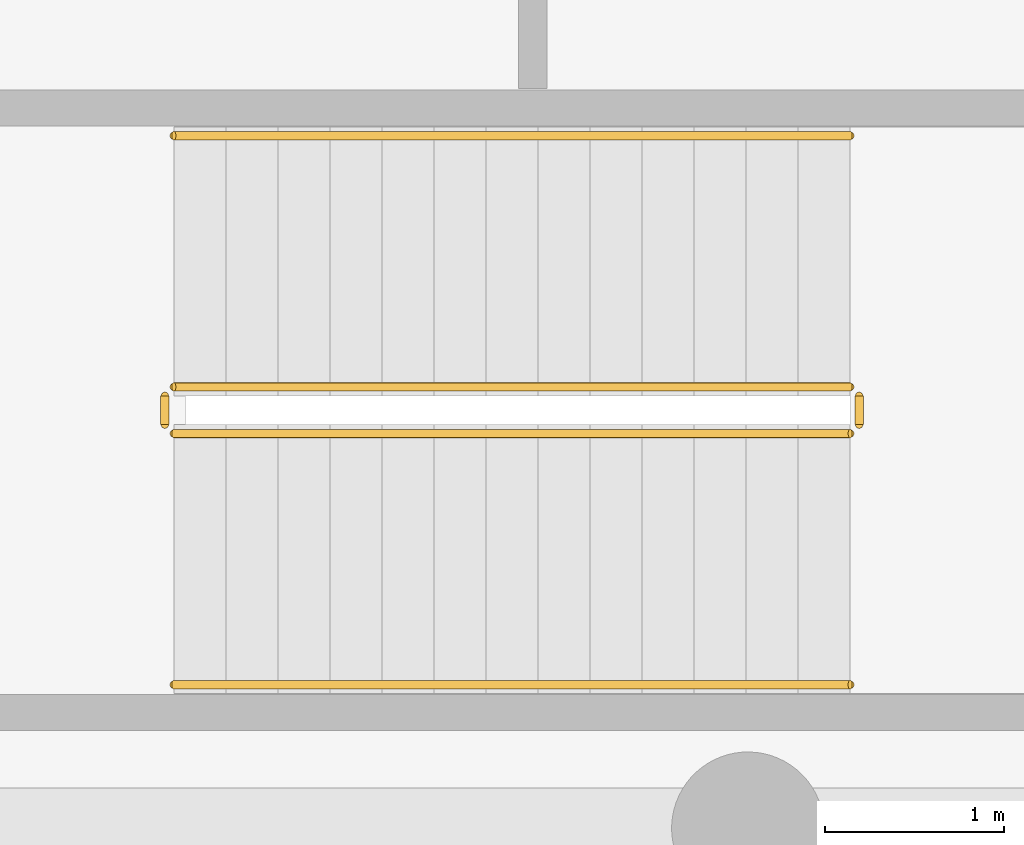
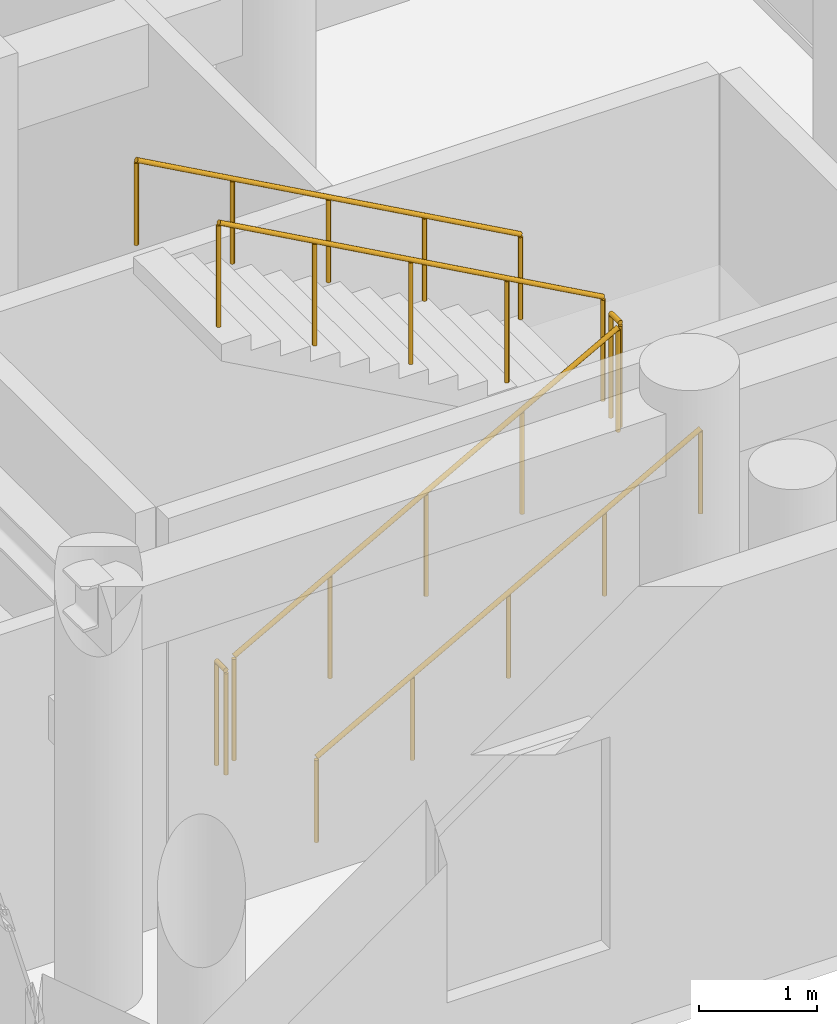
# One storey, part 23 of 24: 6 railings.
"""IFC4 building model written with IfcOpenShell, lengths in metres."""

from ifc_helpers import new_model, si_unit, direction, frame, origin, origin_2d, place, context, subcontext, project, spatial, circle, extrude, material, layer, layer_set, type_object, element, save


model = new_model("IFC4")

# Units and contexts
model_context = context("Model", 3, precision=1e-05, world=origin(), true_north=direction((0.0, 1.0)))
body_context = subcontext(model_context, "Body", "Model", "MODEL_VIEW")
ifc_project = project(units=[si_unit("LENGTHUNIT", "METRE"), si_unit("AREAUNIT", "SQUARE_METRE"), si_unit("VOLUMEUNIT", "CUBIC_METRE"), si_unit("PLANEANGLEUNIT", "RADIAN"), si_unit("MASSUNIT", "GRAM", prefix="KILO")], contexts=[model_context])

# Site, building, storey
site_placement = place(None, origin())
site = spatial("IfcSite", under=ifc_project, at=site_placement, CompositionType="ELEMENT")
building_placement = place(site_placement, origin())
building = spatial("IfcBuilding", under=site, at=building_placement, Name="Karkom Vertical University and Central Library", CompositionType="ELEMENT")
storey_placement = place(building_placement, frame((0.0, 0.0, 13.5)))
storey = spatial("IfcBuildingStorey", under=building, at=storey_placement, Name="L03", CompositionType="ELEMENT", Elevation=13.5)

# Railings
ifc_material_1 = material(Name="Painted galvanised steel balustrade", Category="steel")
ifc_layer_1 = layer(ifc_material_1, 0.06005859375)
ifc_layer_set_1 = layer_set([ifc_layer_1], Name="Painted galvanised steel balustrade")
railing_type_1 = type_object("IfcRailingType", Name="INT-RL-GUARD1100", PredefinedType="GUARDRAIL", material=ifc_layer_set_1)
railing_1_placement = place(storey_placement, frame((72.199951171875, 7.0, 0.16064453125)))
element("IfcRailing", 1, at=railing_1_placement, inside=storey, type_object=railing_type_1, Name="Level 03 LIB-ST1 stair guard 1", PredefinedType="GUARDRAIL", context=body_context, shape_type="SweptSolid", body=[
    extrude(circle(Radius=0.02392578125, at=origin_2d()), frame((0.0, 0.0, 1.076171875), z_axis=(0.874659101714, 0.0, 0.484738543742), x_axis=(0.0, 1.0, 0.0)), (0.0, 0.0, 1.0), 4.310302734375),
    extrude(circle(Radius=0.02099609375, at=origin_2d()), origin(), (0.0, 0.0, 1.0), 1.052001953125),
    extrude(circle(Radius=0.02099609375, at=origin_2d()), frame((0.9423828125, 0.0, 0.5224609375)), (0.0, 0.0, 1.0), 1.052001953125),
    extrude(circle(Radius=0.02099609375, at=origin_2d()), frame((1.885009765625, 0.0, 1.044677734375)), (0.0, 0.0, 1.0), 1.052001953125),
    extrude(circle(Radius=0.02099609375, at=origin_2d()), frame((2.82763671875, 0.0, 1.56689453125)), (0.0, 0.0, 1.0), 1.052001953125),
    extrude(circle(Radius=0.02099609375, at=origin_2d()), frame((3.77001953125, 0.0, 2.08935546875)), (0.0, 0.0, 1.0), 1.052001953125),
])
railing_2_placement = place(storey_placement, frame((76.02001953125, 7.050048828125, 2.25)))
element("IfcRailing", 2, at=railing_2_placement, inside=storey, type_object=railing_type_1, Name="Level 03 LIB-ST1 stair guard 2", PredefinedType="GUARDRAIL", context=body_context, shape_type="SweptSolid", body=[
    extrude(circle(Radius=0.02392578125, at=origin_2d()), frame((0.0, 0.0, 1.076171875), z_axis=(0.0, 1.0, 0.0), x_axis=(-1.0, 0.0, 0.0)), (0.0, 0.0, 1.0), 0.159912109375),
    extrude(circle(Radius=0.02099609375, at=origin_2d()), origin(), (0.0, 0.0, 1.0), 1.052001953125),
    extrude(circle(Radius=0.02099609375, at=origin_2d()), frame((0.0, 0.159912109375, 0.0)), (0.0, 0.0, 1.0), 1.052001953125),
])
railing_3_placement = place(storey_placement, frame((75.969970703125, 7.260009765625, 2.41064453125)))
element("IfcRailing", 3, at=railing_3_placement, inside=storey, type_object=railing_type_1, Name="Level 03 LIB-ST1 stair guard 3", PredefinedType="GUARDRAIL", context=body_context, shape_type="SweptSolid", body=[
    extrude(circle(Radius=0.02392578125, at=origin_2d()), frame((0.0, 0.0, 1.076171875), z_axis=(-0.874659101714, 0.0, 0.484738543742), x_axis=(0.0, -1.0, 0.0)), (0.0, 0.0, 1.0), 4.310302734375),
    extrude(circle(Radius=0.02099609375, at=origin_2d()), origin(), (0.0, 0.0, 1.0), 1.052001953125),
    extrude(circle(Radius=0.02099609375, at=origin_2d()), frame((-0.9423828125, 0.0, 0.5224609375)), (0.0, 0.0, 1.0), 1.052001953125),
    extrude(circle(Radius=0.02099609375, at=origin_2d()), frame((-1.885009765625, 0.0, 1.044677734375)), (0.0, 0.0, 1.0), 1.052001953125),
    extrude(circle(Radius=0.02099609375, at=origin_2d()), frame((-2.82763671875, 0.0, 1.56689453125)), (0.0, 0.0, 1.0), 1.052001953125),
    extrude(circle(Radius=0.02099609375, at=origin_2d()), frame((-3.77001953125, 0.0, 2.08935546875)), (0.0, 0.0, 1.0), 1.052001953125),
])
railing_4_placement = place(storey_placement, frame((72.14990234375, 7.050048828125, 0.0)))
element("IfcRailing", 4, at=railing_4_placement, inside=storey, type_object=railing_type_1, Name="Level 03 LIB-ST1 stair guard 4", PredefinedType="GUARDRAIL", context=body_context, shape_type="SweptSolid", body=[
    extrude(circle(Radius=0.02392578125, at=origin_2d()), frame((0.0, 0.0, 1.076171875), z_axis=(0.0, 1.0, 0.0), x_axis=(-1.0, 0.0, 0.0)), (0.0, 0.0, 1.0), 0.159912109375),
    extrude(circle(Radius=0.02099609375, at=origin_2d()), origin(), (0.0, 0.0, 1.0), 1.052001953125),
    extrude(circle(Radius=0.02099609375, at=origin_2d()), frame((0.0, 0.159912109375, 0.0)), (0.0, 0.0, 1.0), 1.052001953125),
])
ifc_material_2 = material(Name="Brushed stainless-steel tubular handrail", Category="steel")
ifc_layer_2 = layer(ifc_material_2, 0.048095703125)
ifc_layer_set_2 = layer_set([ifc_layer_2], Name="Brushed stainless-steel tubular handrail")
railing_type_2 = type_object("IfcRailingType", Name="INT-RL-HAND920", PredefinedType="HANDRAIL", material=ifc_layer_set_2)
railing_5_placement = place(storey_placement, frame((72.199951171875, 5.60009765625, 0.16064453125)))
element("IfcRailing", 5, at=railing_5_placement, inside=storey, type_object=railing_type_2, Name="Level 03 LIB-ST1 stair handrail 1", PredefinedType="HANDRAIL", context=body_context, shape_type="SweptSolid", body=[
    extrude(circle(Radius=0.02392578125, at=origin_2d()), frame((0.0, 0.0, 0.8759765625), z_axis=(0.874659101714, 0.0, 0.484738543742), x_axis=(0.0, 1.0, 0.0)), (0.0, 0.0, 1.0), 4.310302734375),
    extrude(circle(Radius=0.02099609375, at=origin_2d()), origin(), (0.0, 0.0, 1.0), 0.851806640625),
    extrude(circle(Radius=0.02099609375, at=origin_2d()), frame((0.9423828125, 0.0, 0.5224609375)), (0.0, 0.0, 1.0), 0.851806640625),
    extrude(circle(Radius=0.02099609375, at=origin_2d()), frame((1.885009765625, 0.0, 1.044677734375)), (0.0, 0.0, 1.0), 0.851806640625),
    extrude(circle(Radius=0.02099609375, at=origin_2d()), frame((2.82763671875, 0.0, 1.56689453125)), (0.0, 0.0, 1.0), 0.851806640625),
    extrude(circle(Radius=0.02099609375, at=origin_2d()), frame((3.77001953125, 0.0, 2.08935546875)), (0.0, 0.0, 1.0), 0.851806640625),
])
railing_6_placement = place(storey_placement, frame((75.969970703125, 8.659912109375, 2.41064453125)))
element("IfcRailing", 6, at=railing_6_placement, inside=storey, type_object=railing_type_2, Name="Level 03 LIB-ST1 stair handrail 2", PredefinedType="HANDRAIL", context=body_context, shape_type="SweptSolid", body=[
    extrude(circle(Radius=0.02392578125, at=origin_2d()), frame((0.0, 0.0, 0.8759765625), z_axis=(-0.874659101714, 0.0, 0.484738543742), x_axis=(0.0, -1.0, 0.0)), (0.0, 0.0, 1.0), 4.310302734375),
    extrude(circle(Radius=0.02099609375, at=origin_2d()), origin(), (0.0, 0.0, 1.0), 0.851806640625),
    extrude(circle(Radius=0.02099609375, at=origin_2d()), frame((-0.9423828125, 0.0, 0.5224609375)), (0.0, 0.0, 1.0), 0.851806640625),
    extrude(circle(Radius=0.02099609375, at=origin_2d()), frame((-1.885009765625, 0.0, 1.044677734375)), (0.0, 0.0, 1.0), 0.851806640625),
    extrude(circle(Radius=0.02099609375, at=origin_2d()), frame((-2.82763671875, 0.0, 1.56689453125)), (0.0, 0.0, 1.0), 0.851806640625),
    extrude(circle(Radius=0.02099609375, at=origin_2d()), frame((-3.77001953125, 0.0, 2.08935546875)), (0.0, 0.0, 1.0), 0.851806640625),
])

save(model, "model.ifc")
